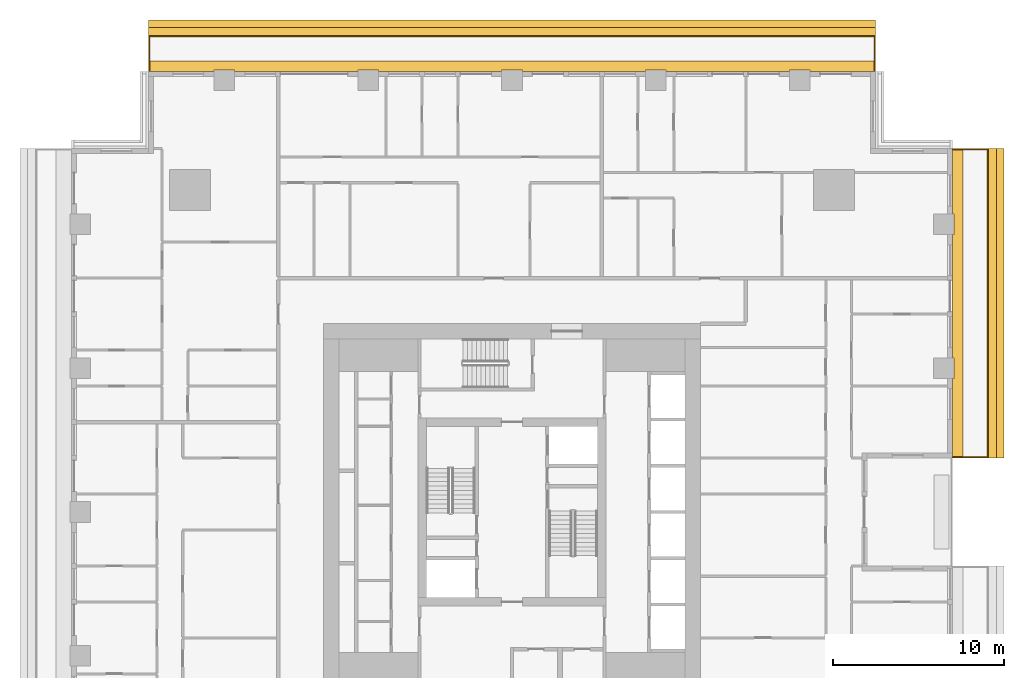
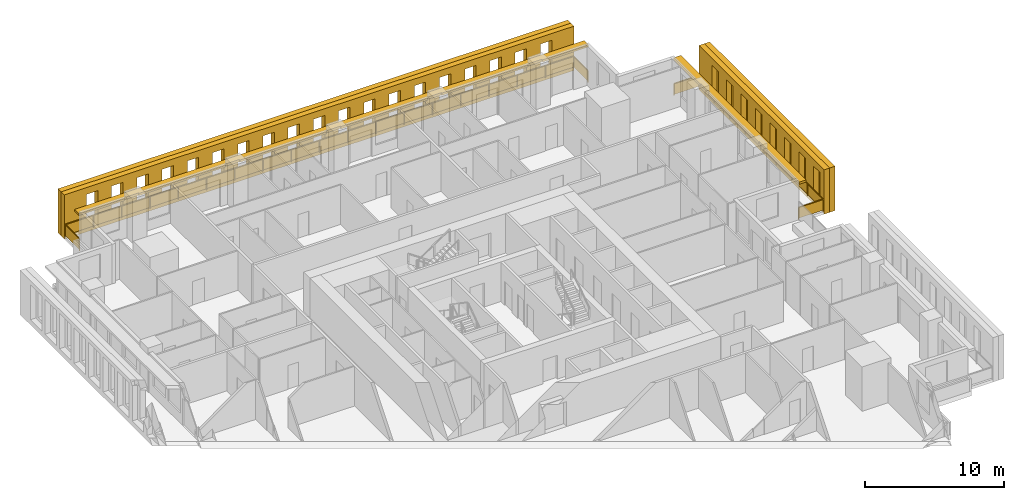
# One storey, part 17 of 17: 6 shading devices, 2 railings.
"""IFC4 building model written with IfcOpenShell, lengths in metres."""

import ifcopenshell
import ifcopenshell.guid

model = None  # the IFC model being written
_history = None  # IfcOwnerHistory: only IFC2X3 demands one
_inside = {}  # id of a spatial element -> (the spatial element, [elements in it])
_under = {}  # id of a project, library or spatial element -> (it, [spatial elements below it])
_declared = {}  # id of a project -> (the project, [libraries it declares])
_typed = {}  # id of a type object -> (the type object, [elements of that type])
_made_of = {}  # id of a material, layer set ... -> (it, [elements and type objects made of it])


def new_model(schema):
    """Start an empty IFC model of exactly this schema.

    Asked for "IFC4X3", IfcOpenShell would pick the latest addendum, in which some entities
    have other attributes; the version numbers below select the first issue.
    IFC2X3 requires an IfcOwnerHistory on every rooted entity: one is made here for all.
    """
    global model, _history
    if schema == "IFC4X3":
        model = ifcopenshell.file(schema_version=(4, 3, 0, 0))
    else:
        model = ifcopenshell.file(schema=schema)
    _inside.clear()
    _under.clear()
    _declared.clear()
    _typed.clear()
    _made_of.clear()
    _history = None
    if model.schema == "IFC2X3":
        org = make("IfcOrganization", Name="unknown")
        user = make(
            "IfcPersonAndOrganization",
            ThePerson=make("IfcPerson", FamilyName="unknown"),
            TheOrganization=org,
        )
        app = make(
            "IfcApplication",
            ApplicationDeveloper=org,
            Version="unknown",
            ApplicationFullName="unknown",
            ApplicationIdentifier="unknown",
        )
        _history = make(
            "IfcOwnerHistory",
            OwningUser=user,
            OwningApplication=app,
            ChangeAction="ADDED",
            CreationDate=0,
        )
    return model


def make(cls, **values):
    """One entity of the class cls with the attributes given. An attribute that is None is left unset."""
    return model.create_entity(
        cls, **{name: value for name, value in values.items() if value is not None}
    )


def rooted(cls, **values):
    """An entity with a GlobalId (a new one), such as an element, a storey or a relation."""
    return make(cls, GlobalId=ifcopenshell.guid.new(), OwnerHistory=_history, **values)


def si_unit(unit_type, name, prefix=None):
    """IfcSIUnit, for example si_unit("LENGTHUNIT", "METRE", prefix="MILLI")."""
    return make("IfcSIUnit", UnitType=unit_type, Prefix=prefix, Name=name)


def assignment(units):
    """IfcUnitAssignment: the units of a project."""
    return None if units is None else make("IfcUnitAssignment", Units=units)


def point(xyz):
    """IfcCartesianPoint."""
    return None if xyz is None else make("IfcCartesianPoint", Coordinates=xyz)


def direction(xyz):
    """IfcDirection."""
    return None if xyz is None else make("IfcDirection", DirectionRatios=xyz)


def frame(location, z_axis=None, x_axis=None):
    """IfcAxis2Placement3D, a coordinate frame: its origin and axes. An axis left out is left unset."""
    return make(
        "IfcAxis2Placement3D",
        Location=point(location),
        Axis=direction(z_axis),
        RefDirection=direction(x_axis),
    )


def frame_2d(location, x_axis=None):
    """IfcAxis2Placement2D, a coordinate frame in the plane: its origin and x axis."""
    return make(
        "IfcAxis2Placement2D", Location=point(location), RefDirection=direction(x_axis)
    )


def origin():
    """The frame at (0, 0, 0) with its axes left unset."""
    return frame((0.0, 0.0, 0.0))


def origin_2d():
    """The frame at (0, 0) in the plane with its x axis left unset."""
    return frame_2d((0.0, 0.0))


def place(relative_to, where):
    """IfcLocalPlacement: puts the frame where relative to a parent placement (None: the world)."""
    return make(
        "IfcLocalPlacement", PlacementRelTo=relative_to, RelativePlacement=where
    )


def context(
    kind, dimensions, precision=None, world=None, true_north=None, identifier=None
):
    """IfcGeometricRepresentationContext, for example the 3D "Model" context."""
    return make(
        "IfcGeometricRepresentationContext",
        ContextIdentifier=identifier,
        ContextType=kind,
        CoordinateSpaceDimension=dimensions,
        Precision=precision,
        WorldCoordinateSystem=world,
        TrueNorth=true_north,
    )


def subcontext(parent, identifier, kind, view, scale=None):
    """IfcGeometricRepresentationSubContext, for example "Body" below "Model"."""
    return make(
        "IfcGeometricRepresentationSubContext",
        ContextIdentifier=identifier,
        ContextType=kind,
        ParentContext=parent,
        TargetScale=scale,
        TargetView=view,
    )


def project(units=None, contexts=None):
    """IfcProject with its units and contexts."""
    return rooted(
        "IfcProject",
        Name="project",
        RepresentationContexts=contexts,
        UnitsInContext=assignment(units),
    )


def spatial(cls, under=None, at=None, **own):
    """A site, building, storey or space (cls), placed at a placement, below another one or the project."""
    s = rooted(cls, ObjectPlacement=at, **own)
    if under is not None:
        _under.setdefault(under.id(), (under, []))[1].append(s)
    return s


def polyline(points):
    """IfcPolyline through the points."""
    return make("IfcPolyline", Points=[point(p) for p in points])


def profile(cls, at=None, kind="AREA", **sizes):
    """A parametric profile (cls). Its sizes go by their IFC names, for example OverallWidth=200.0."""
    return make(cls, ProfileType=kind, Position=at, **sizes)


def rectangle(**sizes):
    """IfcRectangleProfileDef."""
    return profile("IfcRectangleProfileDef", **sizes)


def outline(outer, holes=None, kind="AREA"):
    """IfcArbitraryClosedProfileDef: a profile drawn as a closed curve; with holes, ...WithVoids."""
    if holes is None:
        return make("IfcArbitraryClosedProfileDef", ProfileType=kind, OuterCurve=outer)
    return make(
        "IfcArbitraryProfileDefWithVoids",
        ProfileType=kind,
        OuterCurve=outer,
        InnerCurves=holes,
    )


def extrude(swept, where, along, depth):
    """IfcExtrudedAreaSolid: the profile swept, set in the frame where, extruded along a direction by depth."""
    return make(
        "IfcExtrudedAreaSolid",
        SweptArea=swept,
        Position=where,
        ExtrudedDirection=direction(along),
        Depth=depth,
    )


def shape(context_of_items, identifier, shape_type, items):
    """IfcShapeRepresentation: the items that make up one representation, for example the "Body"."""
    return make(
        "IfcShapeRepresentation",
        ContextOfItems=context_of_items,
        RepresentationIdentifier=identifier,
        RepresentationType=shape_type,
        Items=items,
    )


def material(Name=None, Category=None):
    """IfcMaterial."""
    return make("IfcMaterial", Name=Name, Category=Category)


def layer(
    of_material, thickness, ventilated=None, Name=None, Category=None, Priority=None
):
    """IfcMaterialLayer: one layer of a wall or slab, of a material (None: an air gap)."""
    return make(
        "IfcMaterialLayer",
        Material=of_material,
        LayerThickness=thickness,
        IsVentilated=ventilated,
        Name=Name,
        Category=Category,
        Priority=Priority,
    )


def layer_set(layers, Name=None):
    """IfcMaterialLayerSet."""
    return make("IfcMaterialLayerSet", MaterialLayers=layers, LayerSetName=Name)


def made_of(thing, what):
    """Note that an element or type object is made of a material, layer set ...; save() writes the relation."""
    if what is not None:
        _made_of.setdefault(what.id(), (what, []))[1].append(thing)
    return thing


def type_object(cls, material=None, **own):
    """A type object (cls), such as IfcWallType, which elements share."""
    return made_of(rooted(cls, **own), material)


def element(
    cls,
    number,
    at=None,
    inside=None,
    cuts=None,
    type_object=None,
    material=None,
    context=None,
    identifier="Body",
    shape_type=None,
    held_by="IfcProductDefinitionShape",
    body=None,
    shapes=None,
    **own,
):
    """One element of the class cls, such as IfcWall. Its Tag is "e" and its number.

    at: its placement. inside: the storey or other place that contains it. cuts: it is an
    opening in that element (IfcRelVoidsElement). A single representation is given by context,
    identifier, shape_type and body (its items); several are given by shapes. held_by: the class
    of the entity that holds the representations. save() writes the other relations.
    """
    e = rooted(cls, Tag="e%d" % number, ObjectPlacement=at, **own)
    if body is not None:
        shapes = [shape(context, identifier, shape_type, body)]
    if shapes is not None:
        e.Representation = make(held_by, Representations=shapes)
    if inside is not None:
        _inside.setdefault(inside.id(), (inside, []))[1].append(e)
    if cuts is not None:
        rooted(
            "IfcRelVoidsElement", RelatingBuildingElement=cuts, RelatedOpeningElement=e
        )
    if type_object is not None:
        _typed.setdefault(type_object.id(), (type_object, []))[1].append(e)
    return made_of(e, material)


def aggregate(whole, parts):
    """IfcRelAggregates: a whole, such as a stair, and the parts it consists of."""
    return rooted("IfcRelAggregates", RelatingObject=whole, RelatedObjects=parts)


def save(model, path):
    """Write the relations noted so far, then the file.

    IfcRelAggregates (storeys below a building ...), IfcRelContainedInSpatialStructure (elements
    in a storey), IfcRelDefinesByType, IfcRelAssociatesMaterial and IfcRelDeclares: one each for
    every whole, place, type object, material and project.
    """
    for whole, parts in _under.values():
        aggregate(whole, parts)
    for where, things in _inside.values():
        rooted(
            "IfcRelContainedInSpatialStructure",
            RelatedElements=things,
            RelatingStructure=where,
        )
    for kind, things in _typed.values():
        rooted("IfcRelDefinesByType", RelatedObjects=things, RelatingType=kind)
    for what, things in _made_of.values():
        rooted("IfcRelAssociatesMaterial", RelatedObjects=things, RelatingMaterial=what)
    for by, libraries in _declared.values():
        rooted("IfcRelDeclares", RelatingContext=by, RelatedDefinitions=libraries)
    model.write(path)


model = new_model("IFC4")

# Units and contexts
model_context = context("Model", 3, precision=1e-05, world=origin(), true_north=direction((0.0, 1.0)))
body_context = subcontext(model_context, "Body", "Model", "MODEL_VIEW")
ifc_project = project(units=[si_unit("LENGTHUNIT", "METRE"), si_unit("AREAUNIT", "SQUARE_METRE"), si_unit("VOLUMEUNIT", "CUBIC_METRE"), si_unit("PLANEANGLEUNIT", "RADIAN"), si_unit("MASSUNIT", "GRAM", prefix="KILO")], contexts=[model_context])

# Site, building, storey
site_placement = place(None, origin())
site = spatial("IfcSite", under=ifc_project, at=site_placement, CompositionType="ELEMENT")
building_placement = place(site_placement, origin())
building = spatial("IfcBuilding", under=site, at=building_placement, Name="Khepri Terraces", CompositionType="ELEMENT")
storey_placement = place(building_placement, frame((0.0, 0.0, 188.39990234375)))
storey = spatial("IfcBuildingStorey", under=building, at=storey_placement, Name="L44", CompositionType="ELEMENT", Elevation=188.39990234375)

# Railings
ifc_material_1 = material(Name="Stainless steel grade 316", Category="steel")
railing_type = type_object("IfcRailingType", Name="GRD-BAL-1100", PredefinedType="GUARDRAIL", material=ifc_material_1)
railing_1_placement = place(storey_placement, frame((25.719970703125, 3.199951171875, 0.0)))
element("IfcRailing", 1, at=railing_1_placement, inside=storey, type_object=railing_type, Name="Balcony guard L44 E", PredefinedType="GUARDRAIL", context=body_context, shape_type="SweptSolid", body=[
    extrude(rectangle(XDim=0.050048828125, YDim=0.06005859375, at=origin_2d()), frame((0.0, 0.0, 1.070068359375), z_axis=(1.0, 0.0, 0.0), x_axis=(0.0, 1.0, 0.0)), (0.0, 0.0, 1.0), 2.050048828125),
    extrude(rectangle(XDim=2.0, YDim=0.011962890625, at=origin_2d()), frame((1.02490234375, 0.0, 0.10009765625), z_axis=(0.0, 0.0, 1.0), x_axis=(1.0, 0.0, 0.0)), (0.0, 0.0, 1.0), 0.93994140625),
    extrude(rectangle(XDim=0.050048828125, YDim=0.06005859375, at=origin_2d()), frame((2.050048828125, 0.0, 1.070068359375), z_axis=(0.0, 1.0, 0.0), x_axis=(-1.0, 0.0, 0.0)), (0.0, 0.0, 1.0), 17.969970703125),
    extrude(rectangle(XDim=2.1962890625, YDim=0.011962890625, at=origin_2d()), frame((2.050048828125, 1.123046875, 0.10009765625), z_axis=(0.0, 0.0, 1.0), x_axis=(0.0, 1.0, 0.0)), (0.0, 0.0, 1.0), 0.93994140625),
    extrude(rectangle(XDim=2.1962890625, YDim=0.011962890625, at=origin_2d()), frame((2.050048828125, 3.369384765625, 0.10009765625), z_axis=(0.0, 0.0, 1.0), x_axis=(0.0, 1.0, 0.0)), (0.0, 0.0, 1.0), 0.93994140625),
    extrude(rectangle(XDim=2.1962890625, YDim=0.011962890625, at=origin_2d()), frame((2.050048828125, 5.61572265625, 0.10009765625), z_axis=(0.0, 0.0, 1.0), x_axis=(0.0, 1.0, 0.0)), (0.0, 0.0, 1.0), 0.93994140625),
    extrude(rectangle(XDim=2.1962890625, YDim=0.011962890625, at=origin_2d()), frame((2.050048828125, 7.86181640625, 0.10009765625), z_axis=(0.0, 0.0, 1.0), x_axis=(0.0, 1.0, 0.0)), (0.0, 0.0, 1.0), 0.93994140625),
    extrude(rectangle(XDim=2.1962890625, YDim=0.011962890625, at=origin_2d()), frame((2.050048828125, 10.108154296875, 0.10009765625), z_axis=(0.0, 0.0, 1.0), x_axis=(0.0, 1.0, 0.0)), (0.0, 0.0, 1.0), 0.93994140625),
    extrude(rectangle(XDim=2.1962890625, YDim=0.011962890625, at=origin_2d()), frame((2.050048828125, 12.354248046875, 0.10009765625), z_axis=(0.0, 0.0, 1.0), x_axis=(0.0, 1.0, 0.0)), (0.0, 0.0, 1.0), 0.93994140625),
    extrude(rectangle(XDim=2.1962890625, YDim=0.011962890625, at=origin_2d()), frame((2.050048828125, 14.6005859375, 0.10009765625), z_axis=(0.0, 0.0, 1.0), x_axis=(0.0, 1.0, 0.0)), (0.0, 0.0, 1.0), 0.93994140625),
    extrude(rectangle(XDim=2.1962890625, YDim=0.011962890625, at=origin_2d()), frame((2.050048828125, 16.846923828125, 0.10009765625), z_axis=(0.0, 0.0, 1.0), x_axis=(0.0, 1.0, 0.0)), (0.0, 0.0, 1.0), 0.93994140625),
    extrude(rectangle(XDim=0.050048828125, YDim=0.06005859375, at=origin_2d()), frame((2.050048828125, 17.969970703125, 1.070068359375), z_axis=(-1.0, 0.0, 0.0), x_axis=(0.0, -1.0, 0.0)), (0.0, 0.0, 1.0), 2.050048828125),
    extrude(rectangle(XDim=2.0, YDim=0.011962890625, at=origin_2d()), frame((1.02490234375, 17.969970703125, 0.10009765625), z_axis=(0.0, 0.0, 1.0), x_axis=(-1.0, 0.0, 0.0)), (0.0, 0.0, 1.0), 0.93994140625),
    extrude(rectangle(XDim=0.050048828125, YDim=0.050048828125, at=origin_2d()), origin(), (0.0, 0.0, 1.0), 1.0400390625),
    extrude(rectangle(XDim=0.050048828125, YDim=0.050048828125, at=origin_2d()), frame((2.050048828125, 0.0, 0.0)), (0.0, 0.0, 1.0), 1.0400390625),
    extrude(rectangle(XDim=0.050048828125, YDim=0.050048828125, at=origin_2d()), frame((2.050048828125, 2.246337890625, 0.0)), (0.0, 0.0, 1.0), 1.0400390625),
    extrude(rectangle(XDim=0.050048828125, YDim=0.050048828125, at=origin_2d()), frame((2.050048828125, 4.492431640625, 0.0)), (0.0, 0.0, 1.0), 1.0400390625),
    extrude(rectangle(XDim=0.050048828125, YDim=0.050048828125, at=origin_2d()), frame((2.050048828125, 6.73876953125, 0.0)), (0.0, 0.0, 1.0), 1.0400390625),
    extrude(rectangle(XDim=0.050048828125, YDim=0.050048828125, at=origin_2d()), frame((2.050048828125, 8.98486328125, 0.0)), (0.0, 0.0, 1.0), 1.0400390625),
    extrude(rectangle(XDim=0.050048828125, YDim=0.050048828125, at=origin_2d()), frame((2.050048828125, 11.231201171875, 0.0)), (0.0, 0.0, 1.0), 1.0400390625),
    extrude(rectangle(XDim=0.050048828125, YDim=0.050048828125, at=origin_2d()), frame((2.050048828125, 13.4775390625, 0.0)), (0.0, 0.0, 1.0), 1.0400390625),
    extrude(rectangle(XDim=0.050048828125, YDim=0.050048828125, at=origin_2d()), frame((2.050048828125, 15.7236328125, 0.0)), (0.0, 0.0, 1.0), 1.0400390625),
    extrude(rectangle(XDim=0.050048828125, YDim=0.050048828125, at=origin_2d()), frame((2.050048828125, 17.969970703125, 0.0)), (0.0, 0.0, 1.0), 1.0400390625),
    extrude(rectangle(XDim=0.050048828125, YDim=0.050048828125, at=origin_2d()), frame((0.0, 17.969970703125, 0.0)), (0.0, 0.0, 1.0), 1.0400390625),
])
railing_2_placement = place(storey_placement, frame((21.169921875, 25.719970703125, 0.0)))
element("IfcRailing", 2, at=railing_2_placement, inside=storey, type_object=railing_type, Name="Balcony guard L44 N", PredefinedType="GUARDRAIL", context=body_context, shape_type="SweptSolid", body=[
    extrude(rectangle(XDim=0.050048828125, YDim=0.06005859375, at=origin_2d()), frame((0.0, 0.0, 1.070068359375), z_axis=(0.0, 1.0, 0.0), x_axis=(-1.0, 0.0, 0.0)), (0.0, 0.0, 1.0), 2.050048828125),
    extrude(rectangle(XDim=2.0, YDim=0.011962890625, at=origin_2d()), frame((0.0, 1.02490234375, 0.10009765625), z_axis=(0.0, 0.0, 1.0), x_axis=(0.0, 1.0, 0.0)), (0.0, 0.0, 1.0), 0.93994140625),
    extrude(rectangle(XDim=0.050048828125, YDim=0.06005859375, at=origin_2d()), frame((0.0, 2.050048828125, 1.070068359375), z_axis=(-1.0, 0.0, 0.0), x_axis=(0.0, -1.0, 0.0)), (0.0, 0.0, 1.0), 42.33984375),
    extrude(rectangle(XDim=2.30224609375, YDim=0.011962890625, at=origin_2d()), frame((-1.176025390625, 2.050048828125, 0.10009765625), z_axis=(0.0, 0.0, 1.0), x_axis=(-1.0, 0.0, 0.0)), (0.0, 0.0, 1.0), 0.93994140625),
    extrude(rectangle(XDim=2.30224609375, YDim=0.011962890625, at=origin_2d()), frame((-3.5283203125, 2.050048828125, 0.10009765625), z_axis=(0.0, 0.0, 1.0), x_axis=(-1.0, 0.0, 0.0)), (0.0, 0.0, 1.0), 0.93994140625),
    extrude(rectangle(XDim=2.30224609375, YDim=0.011962890625, at=origin_2d()), frame((-5.880615234375, 2.050048828125, 0.10009765625), z_axis=(0.0, 0.0, 1.0), x_axis=(-1.0, 0.0, 0.0)), (0.0, 0.0, 1.0), 0.93994140625),
    extrude(rectangle(XDim=2.30224609375, YDim=0.011962890625, at=origin_2d()), frame((-8.232666015625, 2.050048828125, 0.10009765625), z_axis=(0.0, 0.0, 1.0), x_axis=(-1.0, 0.0, 0.0)), (0.0, 0.0, 1.0), 0.93994140625),
    extrude(rectangle(XDim=2.30224609375, YDim=0.011962890625, at=origin_2d()), frame((-10.5849609375, 2.050048828125, 0.10009765625), z_axis=(0.0, 0.0, 1.0), x_axis=(-1.0, 0.0, 0.0)), (0.0, 0.0, 1.0), 0.93994140625),
    extrude(rectangle(XDim=2.30224609375, YDim=0.011962890625, at=origin_2d()), frame((-12.937255859375, 2.050048828125, 0.10009765625), z_axis=(0.0, 0.0, 1.0), x_axis=(-1.0, 0.0, 0.0)), (0.0, 0.0, 1.0), 0.93994140625),
    extrude(rectangle(XDim=2.30224609375, YDim=0.011962890625, at=origin_2d()), frame((-15.289306640625, 2.050048828125, 0.10009765625), z_axis=(0.0, 0.0, 1.0), x_axis=(-1.0, 0.0, 0.0)), (0.0, 0.0, 1.0), 0.93994140625),
    extrude(rectangle(XDim=2.30224609375, YDim=0.011962890625, at=origin_2d()), frame((-17.6416015625, 2.050048828125, 0.10009765625), z_axis=(0.0, 0.0, 1.0), x_axis=(-1.0, 0.0, 0.0)), (0.0, 0.0, 1.0), 0.93994140625),
    extrude(rectangle(XDim=2.30224609375, YDim=0.011962890625, at=origin_2d()), frame((-19.993896484375, 2.050048828125, 0.10009765625), z_axis=(0.0, 0.0, 1.0), x_axis=(-1.0, 0.0, 0.0)), (0.0, 0.0, 1.0), 0.93994140625),
    extrude(rectangle(XDim=2.30224609375, YDim=0.011962890625, at=origin_2d()), frame((-22.345947265625, 2.050048828125, 0.10009765625), z_axis=(0.0, 0.0, 1.0), x_axis=(-1.0, 0.0, 0.0)), (0.0, 0.0, 1.0), 0.93994140625),
    extrude(rectangle(XDim=2.30224609375, YDim=0.011962890625, at=origin_2d()), frame((-24.6982421875, 2.050048828125, 0.10009765625), z_axis=(0.0, 0.0, 1.0), x_axis=(-1.0, 0.0, 0.0)), (0.0, 0.0, 1.0), 0.93994140625),
    extrude(rectangle(XDim=2.30224609375, YDim=0.011962890625, at=origin_2d()), frame((-27.050537109375, 2.050048828125, 0.10009765625), z_axis=(0.0, 0.0, 1.0), x_axis=(-1.0, 0.0, 0.0)), (0.0, 0.0, 1.0), 0.93994140625),
    extrude(rectangle(XDim=2.30224609375, YDim=0.011962890625, at=origin_2d()), frame((-29.402587890625, 2.050048828125, 0.10009765625), z_axis=(0.0, 0.0, 1.0), x_axis=(-1.0, 0.0, 0.0)), (0.0, 0.0, 1.0), 0.93994140625),
    extrude(rectangle(XDim=2.30224609375, YDim=0.011962890625, at=origin_2d()), frame((-31.7548828125, 2.050048828125, 0.10009765625), z_axis=(0.0, 0.0, 1.0), x_axis=(-1.0, 0.0, 0.0)), (0.0, 0.0, 1.0), 0.93994140625),
    extrude(rectangle(XDim=2.30224609375, YDim=0.011962890625, at=origin_2d()), frame((-34.107177734375, 2.050048828125, 0.10009765625), z_axis=(0.0, 0.0, 1.0), x_axis=(-1.0, 0.0, 0.0)), (0.0, 0.0, 1.0), 0.93994140625),
    extrude(rectangle(XDim=2.30224609375, YDim=0.011962890625, at=origin_2d()), frame((-36.459228515625, 2.050048828125, 0.10009765625), z_axis=(0.0, 0.0, 1.0), x_axis=(-1.0, 0.0, 0.0)), (0.0, 0.0, 1.0), 0.93994140625),
    extrude(rectangle(XDim=2.30224609375, YDim=0.011962890625, at=origin_2d()), frame((-38.8115234375, 2.050048828125, 0.10009765625), z_axis=(0.0, 0.0, 1.0), x_axis=(-1.0, 0.0, 0.0)), (0.0, 0.0, 1.0), 0.93994140625),
    extrude(rectangle(XDim=2.30224609375, YDim=0.011962890625, at=origin_2d()), frame((-41.163818359375, 2.050048828125, 0.10009765625), z_axis=(0.0, 0.0, 1.0), x_axis=(-1.0, 0.0, 0.0)), (0.0, 0.0, 1.0), 0.93994140625),
    extrude(rectangle(XDim=0.050048828125, YDim=0.06005859375, at=origin_2d()), frame((-42.33984375, 2.050048828125, 1.070068359375), z_axis=(0.0, -1.0, 0.0), x_axis=(1.0, 0.0, 0.0)), (0.0, 0.0, 1.0), 2.050048828125),
    extrude(rectangle(XDim=2.0, YDim=0.011962890625, at=origin_2d()), frame((-42.33984375, 1.02490234375, 0.10009765625), z_axis=(0.0, 0.0, 1.0), x_axis=(0.0, -1.0, 0.0)), (0.0, 0.0, 1.0), 0.93994140625),
    extrude(rectangle(XDim=0.050048828125, YDim=0.050048828125, at=origin_2d()), origin(), (0.0, 0.0, 1.0), 1.0400390625),
    extrude(rectangle(XDim=0.050048828125, YDim=0.050048828125, at=origin_2d()), frame((0.0, 2.050048828125, 0.0)), (0.0, 0.0, 1.0), 1.0400390625),
    extrude(rectangle(XDim=0.050048828125, YDim=0.050048828125, at=origin_2d()), frame((-2.352294921875, 2.050048828125, 0.0)), (0.0, 0.0, 1.0), 1.0400390625),
    extrude(rectangle(XDim=0.050048828125, YDim=0.050048828125, at=origin_2d()), frame((-4.704345703125, 2.050048828125, 0.0)), (0.0, 0.0, 1.0), 1.0400390625),
    extrude(rectangle(XDim=0.050048828125, YDim=0.050048828125, at=origin_2d()), frame((-7.056640625, 2.050048828125, 0.0)), (0.0, 0.0, 1.0), 1.0400390625),
    extrude(rectangle(XDim=0.050048828125, YDim=0.050048828125, at=origin_2d()), frame((-9.408935546875, 2.050048828125, 0.0)), (0.0, 0.0, 1.0), 1.0400390625),
    extrude(rectangle(XDim=0.050048828125, YDim=0.050048828125, at=origin_2d()), frame((-11.760986328125, 2.050048828125, 0.0)), (0.0, 0.0, 1.0), 1.0400390625),
    extrude(rectangle(XDim=0.050048828125, YDim=0.050048828125, at=origin_2d()), frame((-14.11328125, 2.050048828125, 0.0)), (0.0, 0.0, 1.0), 1.0400390625),
    extrude(rectangle(XDim=0.050048828125, YDim=0.050048828125, at=origin_2d()), frame((-16.465576171875, 2.050048828125, 0.0)), (0.0, 0.0, 1.0), 1.0400390625),
    extrude(rectangle(XDim=0.050048828125, YDim=0.050048828125, at=origin_2d()), frame((-18.817626953125, 2.050048828125, 0.0)), (0.0, 0.0, 1.0), 1.0400390625),
    extrude(rectangle(XDim=0.050048828125, YDim=0.050048828125, at=origin_2d()), frame((-21.169921875, 2.050048828125, 0.0)), (0.0, 0.0, 1.0), 1.0400390625),
    extrude(rectangle(XDim=0.050048828125, YDim=0.050048828125, at=origin_2d()), frame((-23.522216796875, 2.050048828125, 0.0)), (0.0, 0.0, 1.0), 1.0400390625),
    extrude(rectangle(XDim=0.050048828125, YDim=0.050048828125, at=origin_2d()), frame((-25.874267578125, 2.050048828125, 0.0)), (0.0, 0.0, 1.0), 1.0400390625),
    extrude(rectangle(XDim=0.050048828125, YDim=0.050048828125, at=origin_2d()), frame((-28.2265625, 2.050048828125, 0.0)), (0.0, 0.0, 1.0), 1.0400390625),
    extrude(rectangle(XDim=0.050048828125, YDim=0.050048828125, at=origin_2d()), frame((-30.578857421875, 2.050048828125, 0.0)), (0.0, 0.0, 1.0), 1.0400390625),
    extrude(rectangle(XDim=0.050048828125, YDim=0.050048828125, at=origin_2d()), frame((-32.930908203125, 2.050048828125, 0.0)), (0.0, 0.0, 1.0), 1.0400390625),
    extrude(rectangle(XDim=0.050048828125, YDim=0.050048828125, at=origin_2d()), frame((-35.283203125, 2.050048828125, 0.0)), (0.0, 0.0, 1.0), 1.0400390625),
    extrude(rectangle(XDim=0.050048828125, YDim=0.050048828125, at=origin_2d()), frame((-37.635498046875, 2.050048828125, 0.0)), (0.0, 0.0, 1.0), 1.0400390625),
    extrude(rectangle(XDim=0.050048828125, YDim=0.050048828125, at=origin_2d()), frame((-39.987548828125, 2.050048828125, 0.0)), (0.0, 0.0, 1.0), 1.0400390625),
    extrude(rectangle(XDim=0.050048828125, YDim=0.050048828125, at=origin_2d()), frame((-42.33984375, 2.050048828125, 0.0)), (0.0, 0.0, 1.0), 1.0400390625),
    extrude(rectangle(XDim=0.050048828125, YDim=0.050048828125, at=origin_2d()), frame((-42.33984375, 0.0, 0.0)), (0.0, 0.0, 1.0), 1.0400390625),
])

# Shading devices
ifc_material_2 = material(Name="Precast concrete C50/60 warm stone", Category="masonry")
shading_device_type_1 = type_object("IfcShadingDeviceType", Name="SCR-CELL-INNER-450", PredefinedType="USERDEFINED", material=ifc_material_2)
shading_device_1_placement = place(storey_placement, frame((27.820068359375, 3.14990234375, -0.25), z_axis=(1.0, 0.0, 0.0), x_axis=(0.0, 1.0, 0.0)))
element("IfcShadingDevice", 3, at=shading_device_1_placement, inside=storey, type_object=shading_device_type_1, Name="Cell screen L44 E in", ObjectType="SCREEN", PredefinedType="USERDEFINED", context=body_context, shape_type="SweptSolid", body=[
    extrude(outline(polyline([(0.0, 0.0), (18.070068359375, 0.0), (18.070068359375, 3.89990234375), (0.0, 3.89990234375), (0.0, 0.0)]), holes=[polyline([(0.577392578125, 0.699951171875), (1.5224609375, 0.699951171875), (1.5224609375, 3.300048828125), (0.577392578125, 3.300048828125), (0.577392578125, 0.699951171875)]), polyline([(2.677490234375, 0.699951171875), (3.62255859375, 0.699951171875), (3.62255859375, 3.300048828125), (2.677490234375, 3.300048828125), (2.677490234375, 0.699951171875)]), polyline([(4.777587890625, 0.699951171875), (5.722412109375, 0.699951171875), (5.722412109375, 3.300048828125), (4.777587890625, 3.300048828125), (4.777587890625, 0.699951171875)]), polyline([(6.87744140625, 0.699951171875), (7.822509765625, 0.699951171875), (7.822509765625, 3.300048828125), (6.87744140625, 3.300048828125), (6.87744140625, 0.699951171875)]), polyline([(8.9775390625, 0.699951171875), (9.922607421875, 0.699951171875), (9.922607421875, 3.300048828125), (8.9775390625, 3.300048828125), (8.9775390625, 0.699951171875)]), polyline([(11.077392578125, 0.699951171875), (12.0224609375, 0.699951171875), (12.0224609375, 3.300048828125), (11.077392578125, 3.300048828125), (11.077392578125, 0.699951171875)]), polyline([(13.177490234375, 0.699951171875), (14.12255859375, 0.699951171875), (14.12255859375, 3.300048828125), (13.177490234375, 3.300048828125), (13.177490234375, 0.699951171875)]), polyline([(15.277587890625, 0.699951171875), (16.222412109375, 0.699951171875), (16.222412109375, 3.300048828125), (15.277587890625, 3.300048828125), (15.277587890625, 0.699951171875)])]), origin(), (0.0, 0.0, 1.0), 0.449951171875),
])
shading_device_2_placement = place(storey_placement, frame((21.219970703125, 27.820068359375, -0.25), z_axis=(0.0, 1.0, 0.0), x_axis=(-1.0, 0.0, 0.0)))
element("IfcShadingDevice", 4, at=shading_device_2_placement, inside=storey, type_object=shading_device_type_1, Name="Cell screen L44 N in", ObjectType="SCREEN", PredefinedType="USERDEFINED", context=body_context, shape_type="SweptSolid", body=[
    extrude(outline(polyline([(0.0, 0.0), (42.43994140625, 0.0), (42.43994140625, 3.89990234375), (0.0, 3.89990234375), (0.0, 0.0)]), holes=[polyline([(1.847412109375, 0.699951171875), (2.79248046875, 0.699951171875), (2.79248046875, 3.300048828125), (1.847412109375, 3.300048828125), (1.847412109375, 0.699951171875)]), polyline([(3.947509765625, 0.699951171875), (4.892578125, 0.699951171875), (4.892578125, 3.300048828125), (3.947509765625, 3.300048828125), (3.947509765625, 0.699951171875)]), polyline([(6.047607421875, 0.699951171875), (6.992431640625, 0.699951171875), (6.992431640625, 3.300048828125), (6.047607421875, 3.300048828125), (6.047607421875, 0.699951171875)]), polyline([(8.1474609375, 0.699951171875), (9.092529296875, 0.699951171875), (9.092529296875, 3.300048828125), (8.1474609375, 3.300048828125), (8.1474609375, 0.699951171875)]), polyline([(10.24755859375, 0.699951171875), (11.1923828125, 0.699951171875), (11.1923828125, 3.300048828125), (10.24755859375, 3.300048828125), (10.24755859375, 0.699951171875)]), polyline([(12.347412109375, 0.699951171875), (13.29248046875, 0.699951171875), (13.29248046875, 3.300048828125), (12.347412109375, 3.300048828125), (12.347412109375, 0.699951171875)]), polyline([(14.447509765625, 0.699951171875), (15.392578125, 0.699951171875), (15.392578125, 3.300048828125), (14.447509765625, 3.300048828125), (14.447509765625, 0.699951171875)]), polyline([(16.547607421875, 0.699951171875), (17.492431640625, 0.699951171875), (17.492431640625, 3.300048828125), (16.547607421875, 3.300048828125), (16.547607421875, 0.699951171875)]), polyline([(18.6474609375, 0.699951171875), (19.592529296875, 0.699951171875), (19.592529296875, 3.300048828125), (18.6474609375, 3.300048828125), (18.6474609375, 0.699951171875)]), polyline([(20.74755859375, 0.699951171875), (21.6923828125, 0.699951171875), (21.6923828125, 3.300048828125), (20.74755859375, 3.300048828125), (20.74755859375, 0.699951171875)]), polyline([(22.847412109375, 0.699951171875), (23.79248046875, 0.699951171875), (23.79248046875, 3.300048828125), (22.847412109375, 3.300048828125), (22.847412109375, 0.699951171875)]), polyline([(24.947509765625, 0.699951171875), (25.892578125, 0.699951171875), (25.892578125, 3.300048828125), (24.947509765625, 3.300048828125), (24.947509765625, 0.699951171875)]), polyline([(27.047607421875, 0.699951171875), (27.992431640625, 0.699951171875), (27.992431640625, 3.300048828125), (27.047607421875, 3.300048828125), (27.047607421875, 0.699951171875)]), polyline([(29.1474609375, 0.699951171875), (30.092529296875, 0.699951171875), (30.092529296875, 3.300048828125), (29.1474609375, 3.300048828125), (29.1474609375, 0.699951171875)]), polyline([(31.24755859375, 0.699951171875), (32.1923828125, 0.699951171875), (32.1923828125, 3.300048828125), (31.24755859375, 3.300048828125), (31.24755859375, 0.699951171875)]), polyline([(33.347412109375, 0.699951171875), (34.29248046875, 0.699951171875), (34.29248046875, 3.300048828125), (33.347412109375, 3.300048828125), (33.347412109375, 0.699951171875)]), polyline([(35.447509765625, 0.699951171875), (36.392578125, 0.699951171875), (36.392578125, 3.300048828125), (35.447509765625, 3.300048828125), (35.447509765625, 0.699951171875)]), polyline([(37.547607421875, 0.699951171875), (38.492431640625, 0.699951171875), (38.492431640625, 3.300048828125), (37.547607421875, 3.300048828125), (37.547607421875, 0.699951171875)]), polyline([(39.6474609375, 0.699951171875), (40.592529296875, 0.699951171875), (40.592529296875, 3.300048828125), (39.6474609375, 3.300048828125), (39.6474609375, 0.699951171875)])]), origin(), (0.0, 0.0, 1.0), 0.449951171875),
])
shading_device_type_2 = type_object("IfcShadingDeviceType", Name="SCR-CELL-OUTER-450", PredefinedType="USERDEFINED", material=ifc_material_2)
shading_device_3_placement = place(storey_placement, frame((28.27001953125, 3.14990234375, -0.25), z_axis=(1.0, 0.0, 0.0), x_axis=(0.0, 1.0, 0.0)))
element("IfcShadingDevice", 5, at=shading_device_3_placement, inside=storey, type_object=shading_device_type_2, Name="Cell screen L44 E out", ObjectType="SCREEN", PredefinedType="USERDEFINED", context=body_context, shape_type="SweptSolid", body=[
    extrude(outline(polyline([(0.0, 0.0), (18.070068359375, 0.0), (18.070068359375, 3.89990234375), (0.0, 3.89990234375), (0.0, 0.0)]), holes=[polyline([(0.2275390625, 0.449951171875), (1.87255859375, 0.449951171875), (1.87255859375, 3.550048828125), (0.2275390625, 3.550048828125), (0.2275390625, 0.449951171875)]), polyline([(2.327392578125, 0.449951171875), (3.972412109375, 0.449951171875), (3.972412109375, 3.550048828125), (2.327392578125, 3.550048828125), (2.327392578125, 0.449951171875)]), polyline([(4.427490234375, 0.449951171875), (6.072509765625, 0.449951171875), (6.072509765625, 3.550048828125), (4.427490234375, 3.550048828125), (4.427490234375, 0.449951171875)]), polyline([(6.527587890625, 0.449951171875), (8.172607421875, 0.449951171875), (8.172607421875, 3.550048828125), (6.527587890625, 3.550048828125), (6.527587890625, 0.449951171875)]), polyline([(8.62744140625, 0.449951171875), (10.2724609375, 0.449951171875), (10.2724609375, 3.550048828125), (8.62744140625, 3.550048828125), (8.62744140625, 0.449951171875)]), polyline([(10.7275390625, 0.449951171875), (12.37255859375, 0.449951171875), (12.37255859375, 3.550048828125), (10.7275390625, 3.550048828125), (10.7275390625, 0.449951171875)]), polyline([(12.827392578125, 0.449951171875), (14.472412109375, 0.449951171875), (14.472412109375, 3.550048828125), (12.827392578125, 3.550048828125), (12.827392578125, 0.449951171875)]), polyline([(14.927490234375, 0.449951171875), (16.572509765625, 0.449951171875), (16.572509765625, 3.550048828125), (14.927490234375, 3.550048828125), (14.927490234375, 0.449951171875)])]), origin(), (0.0, 0.0, 1.0), 0.449951171875),
])
shading_device_4_placement = place(storey_placement, frame((21.219970703125, 28.27001953125, -0.25), z_axis=(0.0, 1.0, 0.0), x_axis=(-1.0, 0.0, 0.0)))
element("IfcShadingDevice", 6, at=shading_device_4_placement, inside=storey, type_object=shading_device_type_2, Name="Cell screen L44 N out", ObjectType="SCREEN", PredefinedType="USERDEFINED", context=body_context, shape_type="SweptSolid", body=[
    extrude(outline(polyline([(0.0, 0.0), (42.43994140625, 0.0), (42.43994140625, 3.89990234375), (0.0, 3.89990234375), (0.0, 0.0)]), holes=[polyline([(1.49755859375, 0.449951171875), (3.142578125, 0.449951171875), (3.142578125, 3.550048828125), (1.49755859375, 3.550048828125), (1.49755859375, 0.449951171875)]), polyline([(3.597412109375, 0.449951171875), (5.242431640625, 0.449951171875), (5.242431640625, 3.550048828125), (3.597412109375, 3.550048828125), (3.597412109375, 0.449951171875)]), polyline([(5.697509765625, 0.449951171875), (7.342529296875, 0.449951171875), (7.342529296875, 3.550048828125), (5.697509765625, 3.550048828125), (5.697509765625, 0.449951171875)]), polyline([(7.797607421875, 0.449951171875), (9.4423828125, 0.449951171875), (9.4423828125, 3.550048828125), (7.797607421875, 3.550048828125), (7.797607421875, 0.449951171875)]), polyline([(9.8974609375, 0.449951171875), (11.54248046875, 0.449951171875), (11.54248046875, 3.550048828125), (9.8974609375, 3.550048828125), (9.8974609375, 0.449951171875)]), polyline([(11.99755859375, 0.449951171875), (13.642578125, 0.449951171875), (13.642578125, 3.550048828125), (11.99755859375, 3.550048828125), (11.99755859375, 0.449951171875)]), polyline([(14.097412109375, 0.449951171875), (15.742431640625, 0.449951171875), (15.742431640625, 3.550048828125), (14.097412109375, 3.550048828125), (14.097412109375, 0.449951171875)]), polyline([(16.197509765625, 0.449951171875), (17.842529296875, 0.449951171875), (17.842529296875, 3.550048828125), (16.197509765625, 3.550048828125), (16.197509765625, 0.449951171875)]), polyline([(18.297607421875, 0.449951171875), (19.9423828125, 0.449951171875), (19.9423828125, 3.550048828125), (18.297607421875, 3.550048828125), (18.297607421875, 0.449951171875)]), polyline([(20.3974609375, 0.449951171875), (22.04248046875, 0.449951171875), (22.04248046875, 3.550048828125), (20.3974609375, 3.550048828125), (20.3974609375, 0.449951171875)]), polyline([(22.49755859375, 0.449951171875), (24.142578125, 0.449951171875), (24.142578125, 3.550048828125), (22.49755859375, 3.550048828125), (22.49755859375, 0.449951171875)]), polyline([(24.597412109375, 0.449951171875), (26.242431640625, 0.449951171875), (26.242431640625, 3.550048828125), (24.597412109375, 3.550048828125), (24.597412109375, 0.449951171875)]), polyline([(26.697509765625, 0.449951171875), (28.342529296875, 0.449951171875), (28.342529296875, 3.550048828125), (26.697509765625, 3.550048828125), (26.697509765625, 0.449951171875)]), polyline([(28.797607421875, 0.449951171875), (30.4423828125, 0.449951171875), (30.4423828125, 3.550048828125), (28.797607421875, 3.550048828125), (28.797607421875, 0.449951171875)]), polyline([(30.8974609375, 0.449951171875), (32.54248046875, 0.449951171875), (32.54248046875, 3.550048828125), (30.8974609375, 3.550048828125), (30.8974609375, 0.449951171875)]), polyline([(32.99755859375, 0.449951171875), (34.642578125, 0.449951171875), (34.642578125, 3.550048828125), (32.99755859375, 3.550048828125), (32.99755859375, 0.449951171875)]), polyline([(35.097412109375, 0.449951171875), (36.742431640625, 0.449951171875), (36.742431640625, 3.550048828125), (35.097412109375, 3.550048828125), (35.097412109375, 0.449951171875)]), polyline([(37.197509765625, 0.449951171875), (38.842529296875, 0.449951171875), (38.842529296875, 3.550048828125), (37.197509765625, 3.550048828125), (37.197509765625, 0.449951171875)]), polyline([(39.297607421875, 0.449951171875), (40.9423828125, 0.449951171875), (40.9423828125, 3.550048828125), (39.297607421875, 3.550048828125), (39.297607421875, 0.449951171875)])]), origin(), (0.0, 0.0, 1.0), 0.449951171875),
])
ifc_layer = layer(ifc_material_2, 0.199951171875, Name="Precast concrete C50/60 warm stone", Category="masonry")
ifc_layer_set = layer_set([ifc_layer], Name="Precast concrete C50/60 warm stone")
shading_device_type_3 = type_object("IfcShadingDeviceType", Name="SSH-BAND-STONE-200-N", PredefinedType="USERDEFINED", material=ifc_layer_set)
shading_device_5_placement = place(storey_placement, frame((0.0, 0.0, 3.10009765625)))
element("IfcShadingDevice", 7, at=shading_device_5_placement, inside=storey, type_object=shading_device_type_3, Name="Sunshade band L44 E", ObjectType="SUNSHADE", PredefinedType="USERDEFINED", context=body_context, shape_type="SweptSolid", body=[
    extrude(outline(polyline([(25.719970703125, 7.800048828125), (25.719970703125, 3.14990234375), (26.320068359375, 3.14990234375), (26.320068359375, 21.219970703125), (25.719970703125, 21.219970703125), (25.719970703125, 17.39990234375), (25.800048828125, 17.39990234375), (25.800048828125, 16.199951171875), (25.719970703125, 16.199951171875), (25.719970703125, 9.0), (25.800048828125, 9.0), (25.800048828125, 7.800048828125), (25.719970703125, 7.800048828125)])), origin(), (0.0, 0.0, 1.0), 0.199951171875),
])
shading_device_6_placement = place(storey_placement, frame((0.0, 0.0, 3.10009765625)))
element("IfcShadingDevice", 8, at=shading_device_6_placement, inside=storey, type_object=shading_device_type_3, Name="Sunshade band L44 N", ObjectType="SUNSHADE", PredefinedType="USERDEFINED", context=body_context, shape_type="SweptSolid", body=[
    extrude(outline(polyline([(17.39990234375, 25.719970703125), (21.219970703125, 25.719970703125), (21.219970703125, 26.320068359375), (-21.219970703125, 26.320068359375), (-21.219970703125, 25.719970703125), (-17.39990234375, 25.719970703125), (-17.39990234375, 25.800048828125), (-16.199951171875, 25.800048828125), (-16.199951171875, 25.719970703125), (-9.0, 25.719970703125), (-9.0, 25.800048828125), (-7.800048828125, 25.800048828125), (-7.800048828125, 25.719970703125), (-0.60009765625, 25.719970703125), (-0.60009765625, 25.800048828125), (0.60009765625, 25.800048828125), (0.60009765625, 25.719970703125), (7.800048828125, 25.719970703125), (7.800048828125, 25.800048828125), (9.0, 25.800048828125), (9.0, 25.719970703125), (16.199951171875, 25.719970703125), (16.199951171875, 25.800048828125), (17.39990234375, 25.800048828125), (17.39990234375, 25.719970703125)])), origin(), (0.0, 0.0, 1.0), 0.199951171875),
])

save(model, "model.ifc")
